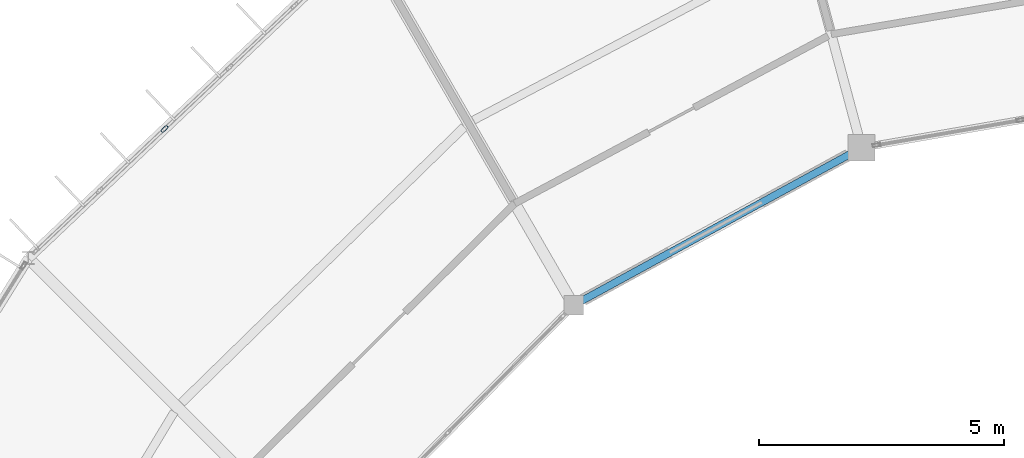
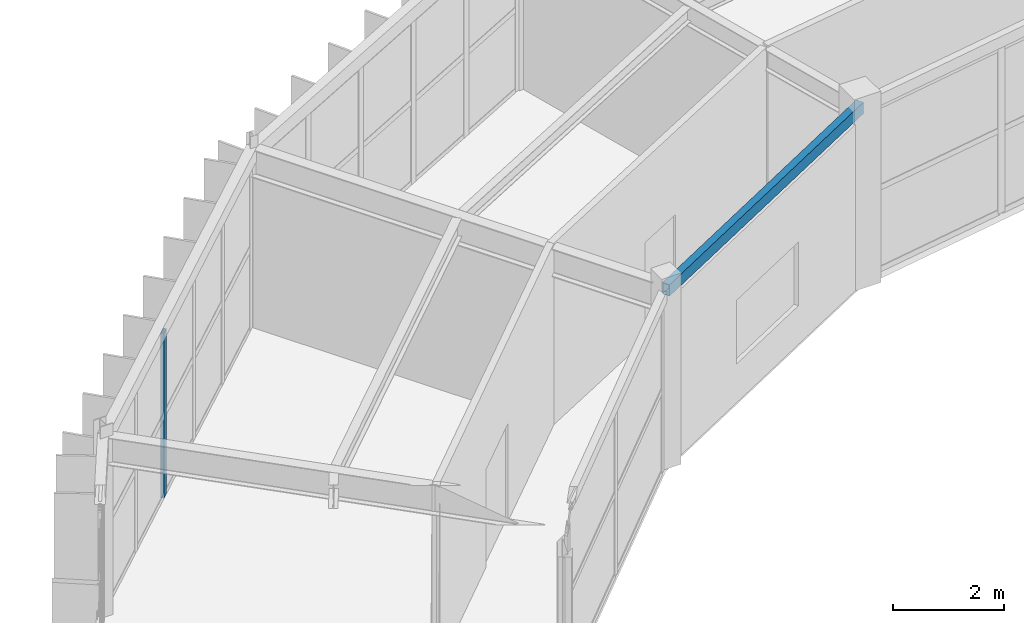
# One storey, part 88 of 157: 1 beam, 1 member, 1 element without a shape of its own.
"""IFC4 building model written with IfcOpenShell, lengths in metres."""

from ifc_helpers import new_model, si_unit, direction, frame, origin, origin_2d, place, context, subcontext, project, spatial, hollow_rectangle, extrude, material, material_profile, profile_set, type_object, element, aggregate, save


model = new_model("IFC4")

# Units and contexts
model_context = context("Model", 3, precision=1e-05, world=origin(), true_north=direction((0.0, 1.0)))
body_context = subcontext(model_context, "Body", "Model", "MODEL_VIEW")
ifc_project = project(units=[si_unit("LENGTHUNIT", "METRE"), si_unit("AREAUNIT", "SQUARE_METRE"), si_unit("VOLUMEUNIT", "CUBIC_METRE"), si_unit("PLANEANGLEUNIT", "RADIAN"), si_unit("MASSUNIT", "GRAM", prefix="KILO")], contexts=[model_context])

# Site, building, storey
site_placement = place(None, origin())
site = spatial("IfcSite", under=ifc_project, at=site_placement, CompositionType="ELEMENT")
building_placement = place(site_placement, origin())
building = spatial("IfcBuilding", under=site, at=building_placement, Name="Karori Crest Natural Sciences Institute", CompositionType="ELEMENT")
storey_placement = place(building_placement, frame((0.0, 0.0, 13.300048828125)))
storey = spatial("IfcBuildingStorey", under=building, at=storey_placement, Name="L03", CompositionType="ELEMENT", Elevation=13.300048828125)

# Beam
ifc_material_1 = material(Name="Hollow structural steel AS/NZS 1163 Grade C350", Category="steel")
ifc_material_profile_1 = material_profile(ifc_material_1, hollow_rectangle(XDim=0.14990234375, YDim=0.25, WallThickness=0.009033203125, at=origin_2d()), Name="RHS250x150x9")
ifc_profile_set_1 = profile_set([ifc_material_profile_1], Name="Hollow structural steel AS/NZS 1163 Grade C350")
beam_type = type_object("IfcBeamType", Name="BT-16", PredefinedType="SPANDREL", material=ifc_profile_set_1)
beam_placement = place(storey_placement, frame((60.084716796875, 81.002685546875, 3.7900390625), z_axis=(-0.877461157042, -0.479647701842, 0.0), x_axis=(0.479647701842, -0.877461157042, 0.0)))
element("IfcBeam", 1, at=beam_placement, inside=storey, type_object=beam_type, Name="Beam B-0388", PredefinedType="SPANDREL", context=body_context, shape_type="SweptSolid", body=[
    extrude(hollow_rectangle(XDim=0.14990234375, YDim=0.25, WallThickness=0.009033203125, at=origin_2d()), origin(), (0.0, 0.0, 1.0), 6.70654296875),
])

# Curtain wall, member
ifc_material_2 = material(Name="Anodised architectural aluminium 6063-T6", Category="aluminium")
curtain_wall_type = type_object("IfcCurtainWallType", Name="CWT-09", PredefinedType="NOTDEFINED", material=ifc_material_2)
curtain_wall_placement = place(storey_placement, origin())
curtain_wall = element("IfcCurtainWall", 2, at=curtain_wall_placement, inside=storey, type_object=curtain_wall_type, Name="Curtain wall CW-0112", PredefinedType="NOTDEFINED")
ifc_material_profile_2 = material_profile(ifc_material_2, hollow_rectangle(XDim=0.06494140625, YDim=0.159912109375, WallThickness=0.00390625, at=origin_2d()), Name="CWM160x65x4")
ifc_profile_set_2 = profile_set([ifc_material_profile_2], Name="Anodised architectural aluminium 6063-T6")
member_type = type_object("IfcMemberType", Name="CWM-01", PredefinedType="MULLION", material=ifc_profile_set_2)
member_placement = place(storey_placement, frame((45.844970703125, 81.386962890625, 0.0), z_axis=(0.0, 0.0, 1.0), x_axis=(-0.688250542104, 0.725473081026, 0.0)))
member = element("IfcMember", 3, at=member_placement, type_object=member_type, Name="CW-0112 mullion 3", PredefinedType="MULLION", context=body_context, shape_type="SweptSolid", body=[
    extrude(hollow_rectangle(XDim=0.06494140625, YDim=0.159912109375, WallThickness=0.00390625, at=origin_2d()), origin(), (0.0, 0.0, 1.0), 3.625),
])
aggregate(curtain_wall, [member])

save(model, "model.ifc")
